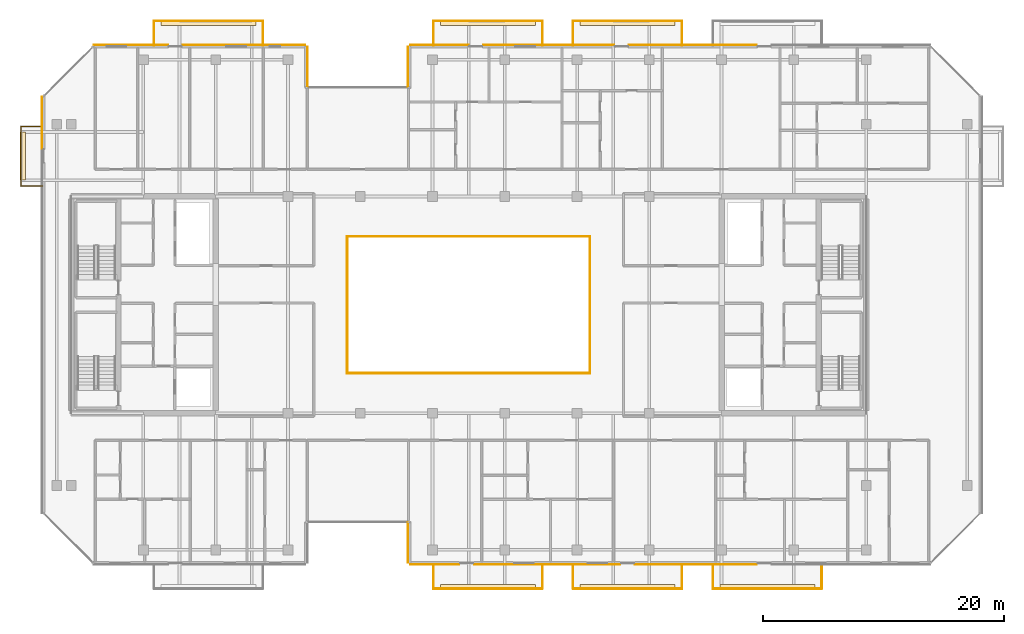
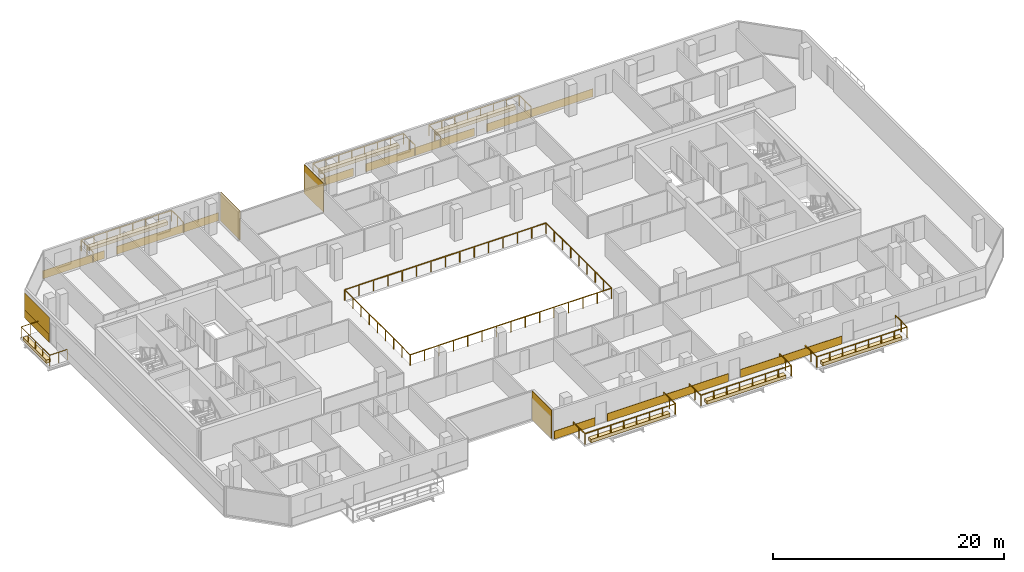
# One storey, part 27 of 29: 20 coverings, 9 railings.
"""IFC4 building model written with IfcOpenShell, lengths in metres."""

from ifc_helpers import new_model, si_unit, direction, frame, origin, origin_2d, place, context, subcontext, project, spatial, polyline, rectangle, outline, extrude, material, layer, layer_set, type_object, element, save


model = new_model("IFC4")

# Units and contexts
model_context = context("Model", 3, precision=1e-05, world=origin(), true_north=direction((0.0, 1.0)))
body_context = subcontext(model_context, "Body", "Model", "MODEL_VIEW")
ifc_project = project(units=[si_unit("LENGTHUNIT", "METRE"), si_unit("AREAUNIT", "SQUARE_METRE"), si_unit("VOLUMEUNIT", "CUBIC_METRE"), si_unit("PLANEANGLEUNIT", "RADIAN"), si_unit("MASSUNIT", "GRAM", prefix="KILO")], contexts=[model_context])

# Site, building, storey
site_placement = place(None, origin())
site = spatial("IfcSite", under=ifc_project, at=site_placement, CompositionType="ELEMENT")
building_placement = place(site_placement, origin())
building = spatial("IfcBuilding", under=site, at=building_placement, Name="Tanjung Sevakor Pilgrim Tower", CompositionType="ELEMENT")
storey_placement = place(building_placement, frame((0.0, 0.0, 181.830078125)))
storey = spatial("IfcBuildingStorey", under=building, at=storey_placement, Name="L50", CompositionType="ELEMENT", Elevation=181.830078125)

# Coverings
ifc_material_1 = material(Name="Reconstructed Limestone Cladding", Category="masonry")
ifc_layer_1 = layer(ifc_material_1, 0.044921875)
ifc_layer_set_1 = layer_set([ifc_layer_1], Name="COV-CLAD-LIMESTONE")
covering_type_1 = type_object("IfcCoveringType", Name="COV-CLAD-LIMESTONE", PredefinedType="CLADDING", material=ifc_layer_set_1)
covering_1_placement = place(storey_placement, frame((51.9775390625, 13.860107421875, 0.02001953125), z_axis=(0.0, 0.0, 1.0), x_axis=(0.0, -1.0, 0.0)))
element("IfcCovering", 1, at=covering_1_placement, inside=storey, type_object=covering_type_1, Name="L50 Warm Limestone Wall Cladding EW-L50-MAIN-4", PredefinedType="CLADDING", context=body_context, shape_type="SweptSolid", body=[
    extrude(rectangle(XDim=3.360107421875, YDim=0.044921875, at=origin_2d()), origin(), (0.0, 0.0, 1.0), 3.0400390625),
])
covering_2_placement = place(storey_placement, frame((54.195068359375, 12.027587890625, 0.009765625), z_axis=(0.0, 0.0, 1.0), x_axis=(1.0, 0.0, 0.0)))
element("IfcCovering", 2, at=covering_2_placement, inside=storey, type_object=covering_type_1, Name="L50 Warm Limestone Sill Spandrel EW-L50-MAIN-5-1", PredefinedType="CLADDING", context=body_context, shape_type="SweptSolid", body=[
    extrude(rectangle(XDim=4.090087890625, YDim=0.044921875, at=origin_2d()), origin(), (0.0, 0.0, 1.0), 0.840087890625),
])
covering_3_placement = place(storey_placement, frame((63.52490234375, 12.027587890625, 0.009765625), z_axis=(0.0, 0.0, 1.0), x_axis=(1.0, 0.0, 0.0)))
element("IfcCovering", 3, at=covering_3_placement, inside=storey, type_object=covering_type_1, Name="L50 Warm Limestone Sill Spandrel EW-L50-MAIN-5-2", PredefinedType="CLADDING", context=body_context, shape_type="SweptSolid", body=[
    extrude(rectangle(XDim=12.1298828125, YDim=0.044921875, at=origin_2d()), origin(), (0.0, 0.0, 1.0), 0.840087890625),
])
covering_4_placement = place(storey_placement, frame((75.875, 12.027587890625, 0.009765625), z_axis=(0.0, 0.0, 1.0), x_axis=(1.0, 0.0, 0.0)))
element("IfcCovering", 4, at=covering_4_placement, inside=storey, type_object=covering_type_1, Name="L50 Warm Limestone Sill Spandrel EW-L50-MAIN-5-3", PredefinedType="CLADDING", context=body_context, shape_type="SweptSolid", body=[
    extrude(rectangle(XDim=10.1298828125, YDim=0.044921875, at=origin_2d()), origin(), (0.0, 0.0, 1.0), 0.840087890625),
])
covering_5_placement = place(storey_placement, frame((75.625, 55.172607421875, 0.009765625), z_axis=(0.0, 0.0, 1.0), x_axis=(-1.0, 0.0, 0.0)))
element("IfcCovering", 5, at=covering_5_placement, inside=storey, type_object=covering_type_1, Name="L50 Warm Limestone Sill Spandrel EW-L50-MAIN-9-2", PredefinedType="CLADDING", context=body_context, shape_type="SweptSolid", body=[
    extrude(rectangle(XDim=10.6298828125, YDim=0.044921875, at=origin_2d()), origin(), (0.0, 0.0, 1.0), 0.840087890625),
])
covering_6_placement = place(storey_placement, frame((63.64990234375, 55.172607421875, 0.009765625), z_axis=(0.0, 0.0, 1.0), x_axis=(-1.0, 0.0, 0.0)))
element("IfcCovering", 6, at=covering_6_placement, inside=storey, type_object=covering_type_1, Name="L50 Warm Limestone Sill Spandrel EW-L50-MAIN-9-3", PredefinedType="CLADDING", context=body_context, shape_type="SweptSolid", body=[
    extrude(rectangle(XDim=10.8798828125, YDim=0.044921875, at=origin_2d()), origin(), (0.0, 0.0, 1.0), 0.840087890625),
])
covering_7_placement = place(storey_placement, frame((54.570068359375, 55.172607421875, 0.009765625), z_axis=(0.0, 0.0, 1.0), x_axis=(-1.0, 0.0, 0.0)))
element("IfcCovering", 7, at=covering_7_placement, inside=storey, type_object=covering_type_1, Name="L50 Warm Limestone Sill Spandrel EW-L50-MAIN-9-4", PredefinedType="CLADDING", context=body_context, shape_type="SweptSolid", body=[
    extrude(rectangle(XDim=4.840087890625, YDim=0.044921875, at=origin_2d()), origin(), (0.0, 0.0, 1.0), 0.840087890625),
])
for number, where, z_axis, x_axis, name in (
    (8, (51.9775390625, 53.340087890625, 0.02001953125), (0.0, 0.0, 1.0), (0.0, -1.0, 0.0), "L50 Warm Limestone Wall Cladding EW-L50-MAIN-10"),
    (9, (43.62255859375, 53.340087890625, 0.02001953125), (0.0, 0.0, 1.0), (0.0, 1.0, 0.0), "L50 Warm Limestone Wall Cladding EW-L50-MAIN-12"),
):
    element("IfcCovering", number, at=place(storey_placement, frame(where, z_axis=z_axis, x_axis=x_axis)), inside=storey, type_object=covering_type_1, Name=name, PredefinedType="CLADDING", context=body_context, shape_type="SweptSolid", body=[
        extrude(rectangle(XDim=3.360107421875, YDim=0.044921875, at=origin_2d()), origin(), (0.0, 0.0, 1.0), 3.0400390625),
    ])
covering_8_placement = place(storey_placement, frame((38.35498046875, 55.172607421875, 0.009765625), z_axis=(0.0, 0.0, 1.0), x_axis=(-1.0, 0.0, 0.0)))
element("IfcCovering", 10, at=covering_8_placement, inside=storey, type_object=covering_type_1, Name="L50 Warm Limestone Sill Spandrel EW-L50-MAIN-13-1", PredefinedType="CLADDING", context=body_context, shape_type="SweptSolid", body=[
    extrude(rectangle(XDim=10.18994140625, YDim=0.044921875, at=origin_2d()), origin(), (0.0, 0.0, 1.0), 0.840087890625),
])
covering_9_placement = place(storey_placement, frame((28.962890625, 55.172607421875, 0.009765625), z_axis=(0.0, 0.0, 1.0), x_axis=(-1.0, 0.0, 0.0)))
element("IfcCovering", 11, at=covering_9_placement, inside=storey, type_object=covering_type_1, Name="L50 Warm Limestone Sill Spandrel EW-L50-MAIN-13-2", PredefinedType="CLADDING", context=body_context, shape_type="SweptSolid", body=[
    extrude(rectangle(XDim=6.154296875, YDim=0.044921875, at=origin_2d()), origin(), (0.0, 0.0, 1.0), 0.840087890625),
])
covering_10_placement = place(storey_placement, frame((21.577392578125, 48.712158203125, 0.009765625), z_axis=(0.0, 0.0, 1.0), x_axis=(0.0, -1.0, 0.0)))
element("IfcCovering", 12, at=covering_10_placement, inside=storey, type_object=covering_type_1, Name="L50 Warm Limestone Sill Spandrel EW-L50-MAIN-15-1", PredefinedType="CLADDING", context=body_context, shape_type="SweptSolid", body=[
    extrude(rectangle(XDim=4.304443359375, YDim=0.044921875, at=origin_2d()), origin(), (0.0, 0.0, 1.0), 0.840087890625),
])
covering_11_placement = place(storey_placement, frame((21.577392578125, 48.707275390625, 0.849853515625), z_axis=(0.0, 0.0, 1.0), x_axis=(0.0, -1.0, 0.0)))
element("IfcCovering", 13, at=covering_11_placement, inside=storey, type_object=covering_type_1, Name="L50 Warm Limestone Pier Panel EW-L50-MAIN-15-1", PredefinedType="CLADDING", context=body_context, shape_type="SweptSolid", body=[
    extrude(rectangle(XDim=4.314453125, YDim=0.044921875, at=origin_2d()), origin(), (0.0, 0.0, 1.0), 1.81005859375),
])
ifc_material_2 = material(Name="Vegetated Modular Planter Assembly", Category="organic")
ifc_layer_2 = layer(ifc_material_2, 0.35009765625)
ifc_layer_set_2 = layer_set([ifc_layer_2], Name="COV-GRN-TROUGH")
covering_type_2 = type_object("IfcCoveringType", Name="COV-GRN-TROUGH", PredefinedType="CLADDING", material=ifc_layer_set_2)
covering_12_placement = place(storey_placement, origin())
element("IfcCovering", 14, at=covering_12_placement, inside=storey, type_object=covering_type_2, Name="L50 Planted Landscape Hedge Trough BGRN-L50-MAIN-N1", PredefinedType="CLADDING", context=body_context, shape_type="SweptSolid", body=[
    extrude(outline(polyline([(31.449951171875, 56.81005859375), (39.35009765625, 56.81005859375), (39.35009765625, 57.25), (31.449951171875, 57.25), (31.449951171875, 56.81005859375)])), origin(), (0.0, 0.0, 1.0), 0.349853515625),
])
covering_13_placement = place(storey_placement, origin())
element("IfcCovering", 15, at=covering_13_placement, inside=storey, type_object=covering_type_2, Name="L50 Planted Landscape Hedge Trough BGRN-L50-MAIN-S2", PredefinedType="CLADDING", context=body_context, shape_type="SweptSolid", body=[
    extrude(outline(polyline([(54.64990234375, 9.949951171875), (62.550048828125, 9.949951171875), (62.550048828125, 10.389892578125), (54.64990234375, 10.389892578125), (54.64990234375, 9.949951171875)])), origin(), (0.0, 0.0, 1.0), 0.349853515625),
])
covering_14_placement = place(storey_placement, origin())
element("IfcCovering", 16, at=covering_14_placement, inside=storey, type_object=covering_type_2, Name="L50 Planted Landscape Hedge Trough BGRN-L50-MAIN-N2", PredefinedType="CLADDING", context=body_context, shape_type="SweptSolid", body=[
    extrude(outline(polyline([(54.64990234375, 56.81005859375), (62.550048828125, 56.81005859375), (62.550048828125, 57.25), (54.64990234375, 57.25), (54.64990234375, 56.81005859375)])), origin(), (0.0, 0.0, 1.0), 0.349853515625),
])
covering_15_placement = place(storey_placement, origin())
element("IfcCovering", 17, at=covering_15_placement, inside=storey, type_object=covering_type_2, Name="L50 Planted Landscape Hedge Trough BGRN-L50-MAIN-S3", PredefinedType="CLADDING", context=body_context, shape_type="SweptSolid", body=[
    extrude(outline(polyline([(66.25, 9.949951171875), (74.14990234375, 9.949951171875), (74.14990234375, 10.389892578125), (66.25, 10.389892578125), (66.25, 9.949951171875)])), origin(), (0.0, 0.0, 1.0), 0.349853515625),
])
covering_16_placement = place(storey_placement, origin())
element("IfcCovering", 18, at=covering_16_placement, inside=storey, type_object=covering_type_2, Name="L50 Planted Landscape Hedge Trough BGRN-L50-MAIN-N3", PredefinedType="CLADDING", context=body_context, shape_type="SweptSolid", body=[
    extrude(outline(polyline([(66.25, 56.81005859375), (74.14990234375, 56.81005859375), (74.14990234375, 57.25), (66.25, 57.25), (66.25, 56.81005859375)])), origin(), (0.0, 0.0, 1.0), 0.349853515625),
])
covering_17_placement = place(storey_placement, origin())
element("IfcCovering", 19, at=covering_17_placement, inside=storey, type_object=covering_type_2, Name="L50 Planted Landscape Hedge Trough BGRN-L50-MAIN-S4", PredefinedType="CLADDING", context=body_context, shape_type="SweptSolid", body=[
    extrude(outline(polyline([(77.85009765625, 9.949951171875), (85.75, 9.949951171875), (85.75, 10.389892578125), (77.85009765625, 10.389892578125), (77.85009765625, 9.949951171875)])), origin(), (0.0, 0.0, 1.0), 0.349853515625),
])
covering_18_placement = place(storey_placement, origin())
element("IfcCovering", 20, at=covering_18_placement, inside=storey, type_object=covering_type_2, Name="L50 Planted Landscape Hedge Trough BGRN-L50-MAIN-W1", PredefinedType="CLADDING", context=body_context, shape_type="SweptSolid", body=[
    extrude(outline(polyline([(20.18994140625, 43.949951171875), (20.18994140625, 47.949951171875), (19.75, 47.949951171875), (19.75, 43.949951171875), (20.18994140625, 43.949951171875)])), origin(), (0.0, 0.0, 1.0), 0.349853515625),
])

# Railings
ifc_material_3 = material(Name="Laminated Glass and Aluminium", Category="aluminium")
railing_type = type_object("IfcRailingType", Name="RL-BAL-BALUST", PredefinedType="BALUSTRADE", material=ifc_material_3)
railing_1_placement = place(storey_placement, frame((46.919921875, 27.919921875, 0.0)))
element("IfcRailing", 21, at=railing_1_placement, inside=storey, type_object=railing_type, Name="L50 Void Opening Balustrade 1A", PredefinedType="BALUSTRADE", context=body_context, shape_type="SweptSolid", body=[
    extrude(rectangle(XDim=0.0479, YDim=0.0479), frame((0.0, 0.0, 1.1259765625), z_axis=(1.0, 0.0, 0.0), x_axis=(0.0, 1.0, 0.0)), (0.0, 0.0, 1.0), 20.16015625),
    extrude(rectangle(XDim=0.0479, YDim=0.0479), frame((20.16015625, 0.0, 1.1259765625), z_axis=(0.0, 1.0, 0.0), x_axis=(-1.0, 0.0, 0.0)), (0.0, 0.0, 1.0), 11.360107421875),
    extrude(rectangle(XDim=0.042, YDim=0.042), origin(), (0.0, 0.0, 1.0), 1.101806640625),
    extrude(rectangle(XDim=0.042, YDim=0.042), frame((1.43994140625, 0.0, 0.0)), (0.0, 0.0, 1.0), 1.101806640625),
    extrude(rectangle(XDim=0.042, YDim=0.042), frame((2.880126953125, 0.0, 0.0)), (0.0, 0.0, 1.0), 1.101806640625),
    extrude(rectangle(XDim=0.042, YDim=0.042), frame((4.320068359375, 0.0, 0.0)), (0.0, 0.0, 1.0), 1.101806640625),
    extrude(rectangle(XDim=0.042, YDim=0.042), frame((5.760009765625, 0.0, 0.0)), (0.0, 0.0, 1.0), 1.101806640625),
    extrude(rectangle(XDim=0.042, YDim=0.042), frame((7.199951171875, 0.0, 0.0)), (0.0, 0.0, 1.0), 1.101806640625),
    extrude(rectangle(XDim=0.042, YDim=0.042), frame((8.64013671875, 0.0, 0.0)), (0.0, 0.0, 1.0), 1.101806640625),
    extrude(rectangle(XDim=0.042, YDim=0.042), frame((10.080078125, 0.0, 0.0)), (0.0, 0.0, 1.0), 1.101806640625),
    extrude(rectangle(XDim=0.042, YDim=0.042), frame((11.52001953125, 0.0, 0.0)), (0.0, 0.0, 1.0), 1.101806640625),
    extrude(rectangle(XDim=0.042, YDim=0.042), frame((12.960205078125, 0.0, 0.0)), (0.0, 0.0, 1.0), 1.101806640625),
    extrude(rectangle(XDim=0.042, YDim=0.042), frame((14.400146484375, 0.0, 0.0)), (0.0, 0.0, 1.0), 1.101806640625),
    extrude(rectangle(XDim=0.042, YDim=0.042), frame((15.840087890625, 0.0, 0.0)), (0.0, 0.0, 1.0), 1.101806640625),
    extrude(rectangle(XDim=0.042, YDim=0.042), frame((17.280029296875, 0.0, 0.0)), (0.0, 0.0, 1.0), 1.101806640625),
    extrude(rectangle(XDim=0.042, YDim=0.042), frame((18.72021484375, 0.0, 0.0)), (0.0, 0.0, 1.0), 1.101806640625),
    extrude(rectangle(XDim=0.042, YDim=0.042), frame((20.16015625, 0.0, 0.0)), (0.0, 0.0, 1.0), 1.101806640625),
    extrude(rectangle(XDim=0.042, YDim=0.042), frame((20.16015625, 1.419921875, 0.0)), (0.0, 0.0, 1.0), 1.101806640625),
    extrude(rectangle(XDim=0.042, YDim=0.042), frame((20.16015625, 2.840087890625, 0.0)), (0.0, 0.0, 1.0), 1.101806640625),
    extrude(rectangle(XDim=0.042, YDim=0.042), frame((20.16015625, 4.260009765625, 0.0)), (0.0, 0.0, 1.0), 1.101806640625),
    extrude(rectangle(XDim=0.042, YDim=0.042), frame((20.16015625, 5.68017578125, 0.0)), (0.0, 0.0, 1.0), 1.101806640625),
    extrude(rectangle(XDim=0.042, YDim=0.042), frame((20.16015625, 7.10009765625, 0.0)), (0.0, 0.0, 1.0), 1.101806640625),
    extrude(rectangle(XDim=0.042, YDim=0.042), frame((20.16015625, 8.52001953125, 0.0)), (0.0, 0.0, 1.0), 1.101806640625),
    extrude(rectangle(XDim=0.042, YDim=0.042), frame((20.16015625, 9.940185546875, 0.0)), (0.0, 0.0, 1.0), 1.101806640625),
    extrude(rectangle(XDim=0.042, YDim=0.042), frame((20.16015625, 11.360107421875, 0.0)), (0.0, 0.0, 1.0), 1.101806640625),
])
railing_2_placement = place(storey_placement, frame((67.080078125, 39.280029296875, 0.0)))
element("IfcRailing", 22, at=railing_2_placement, inside=storey, type_object=railing_type, Name="L50 Void Opening Balustrade 1B", PredefinedType="BALUSTRADE", context=body_context, shape_type="SweptSolid", body=[
    extrude(rectangle(XDim=0.0479, YDim=0.0479), frame((0.0, 0.0, 1.1259765625), z_axis=(-1.0, 0.0, 0.0), x_axis=(0.0, -1.0, 0.0)), (0.0, 0.0, 1.0), 20.16015625),
    extrude(rectangle(XDim=0.0479, YDim=0.0479), frame((-20.16015625, 0.0, 1.1259765625), z_axis=(0.0, -1.0, 0.0), x_axis=(1.0, 0.0, 0.0)), (0.0, 0.0, 1.0), 11.360107421875),
    extrude(rectangle(XDim=0.042, YDim=0.042), origin(), (0.0, 0.0, 1.0), 1.101806640625),
    extrude(rectangle(XDim=0.042, YDim=0.042), frame((-1.43994140625, 0.0, 0.0)), (0.0, 0.0, 1.0), 1.101806640625),
    extrude(rectangle(XDim=0.042, YDim=0.042), frame((-2.880126953125, 0.0, 0.0)), (0.0, 0.0, 1.0), 1.101806640625),
    extrude(rectangle(XDim=0.042, YDim=0.042), frame((-4.320068359375, 0.0, 0.0)), (0.0, 0.0, 1.0), 1.101806640625),
    extrude(rectangle(XDim=0.042, YDim=0.042), frame((-5.760009765625, 0.0, 0.0)), (0.0, 0.0, 1.0), 1.101806640625),
    extrude(rectangle(XDim=0.042, YDim=0.042), frame((-7.199951171875, 0.0, 0.0)), (0.0, 0.0, 1.0), 1.101806640625),
    extrude(rectangle(XDim=0.042, YDim=0.042), frame((-8.64013671875, 0.0, 0.0)), (0.0, 0.0, 1.0), 1.101806640625),
    extrude(rectangle(XDim=0.042, YDim=0.042), frame((-10.080078125, 0.0, 0.0)), (0.0, 0.0, 1.0), 1.101806640625),
    extrude(rectangle(XDim=0.042, YDim=0.042), frame((-11.52001953125, 0.0, 0.0)), (0.0, 0.0, 1.0), 1.101806640625),
    extrude(rectangle(XDim=0.042, YDim=0.042), frame((-12.960205078125, 0.0, 0.0)), (0.0, 0.0, 1.0), 1.101806640625),
    extrude(rectangle(XDim=0.042, YDim=0.042), frame((-14.400146484375, 0.0, 0.0)), (0.0, 0.0, 1.0), 1.101806640625),
    extrude(rectangle(XDim=0.042, YDim=0.042), frame((-15.840087890625, 0.0, 0.0)), (0.0, 0.0, 1.0), 1.101806640625),
    extrude(rectangle(XDim=0.042, YDim=0.042), frame((-17.280029296875, 0.0, 0.0)), (0.0, 0.0, 1.0), 1.101806640625),
    extrude(rectangle(XDim=0.042, YDim=0.042), frame((-18.72021484375, 0.0, 0.0)), (0.0, 0.0, 1.0), 1.101806640625),
    extrude(rectangle(XDim=0.042, YDim=0.042), frame((-20.16015625, 0.0, 0.0)), (0.0, 0.0, 1.0), 1.101806640625),
    extrude(rectangle(XDim=0.042, YDim=0.042), frame((-20.16015625, -1.419921875, 0.0)), (0.0, 0.0, 1.0), 1.101806640625),
    extrude(rectangle(XDim=0.042, YDim=0.042), frame((-20.16015625, -2.840087890625, 0.0)), (0.0, 0.0, 1.0), 1.101806640625),
    extrude(rectangle(XDim=0.042, YDim=0.042), frame((-20.16015625, -4.260009765625, 0.0)), (0.0, 0.0, 1.0), 1.101806640625),
    extrude(rectangle(XDim=0.042, YDim=0.042), frame((-20.16015625, -5.68017578125, 0.0)), (0.0, 0.0, 1.0), 1.101806640625),
    extrude(rectangle(XDim=0.042, YDim=0.042), frame((-20.16015625, -7.10009765625, 0.0)), (0.0, 0.0, 1.0), 1.101806640625),
    extrude(rectangle(XDim=0.042, YDim=0.042), frame((-20.16015625, -8.52001953125, 0.0)), (0.0, 0.0, 1.0), 1.101806640625),
    extrude(rectangle(XDim=0.042, YDim=0.042), frame((-20.16015625, -9.940185546875, 0.0)), (0.0, 0.0, 1.0), 1.101806640625),
    extrude(rectangle(XDim=0.042, YDim=0.042), frame((-20.16015625, -11.360107421875, 0.0)), (0.0, 0.0, 1.0), 1.101806640625),
])
railing_3_placement = place(storey_placement, frame((30.8798828125, 55.14990234375, 0.0)))
element("IfcRailing", 23, at=railing_3_placement, inside=storey, type_object=railing_type, Name="L50 Loggia Balustrade MAIN-N1", PredefinedType="BALUSTRADE", context=body_context, shape_type="SweptSolid", body=[
    extrude(rectangle(XDim=0.0479, YDim=0.0479), frame((0.0, 0.0, 1.1259765625), z_axis=(0.0, 1.0, 0.0), x_axis=(-1.0, 0.0, 0.0)), (0.0, 0.0, 1.0), 2.02001953125),
    extrude(rectangle(XDim=0.0479, YDim=0.0479), frame((0.0, 2.02001953125, 1.1259765625), z_axis=(1.0, 0.0, 0.0), x_axis=(0.0, 1.0, 0.0)), (0.0, 0.0, 1.0), 9.0400390625),
    extrude(rectangle(XDim=0.0479, YDim=0.0479), frame((9.0400390625, 2.02001953125, 1.1259765625), z_axis=(0.0, -1.0, 0.0), x_axis=(1.0, 0.0, 0.0)), (0.0, 0.0, 1.0), 2.02001953125),
    extrude(rectangle(XDim=0.042, YDim=0.042), origin(), (0.0, 0.0, 1.0), 1.101806640625),
    extrude(rectangle(XDim=0.042, YDim=0.042), frame((0.0, 1.010009765625, 0.0)), (0.0, 0.0, 1.0), 1.101806640625),
    extrude(rectangle(XDim=0.042, YDim=0.042), frame((0.0, 2.02001953125, 0.0)), (0.0, 0.0, 1.0), 1.101806640625),
    extrude(rectangle(XDim=0.042, YDim=0.042), frame((1.29150390625, 2.02001953125, 0.0)), (0.0, 0.0, 1.0), 1.101806640625),
    extrude(rectangle(XDim=0.042, YDim=0.042), frame((2.582763671875, 2.02001953125, 0.0)), (0.0, 0.0, 1.0), 1.101806640625),
    extrude(rectangle(XDim=0.042, YDim=0.042), frame((3.874267578125, 2.02001953125, 0.0)), (0.0, 0.0, 1.0), 1.101806640625),
    extrude(rectangle(XDim=0.042, YDim=0.042), frame((5.165771484375, 2.02001953125, 0.0)), (0.0, 0.0, 1.0), 1.101806640625),
    extrude(rectangle(XDim=0.042, YDim=0.042), frame((6.457275390625, 2.02001953125, 0.0)), (0.0, 0.0, 1.0), 1.101806640625),
    extrude(rectangle(XDim=0.042, YDim=0.042), frame((7.74853515625, 2.02001953125, 0.0)), (0.0, 0.0, 1.0), 1.101806640625),
    extrude(rectangle(XDim=0.042, YDim=0.042), frame((9.0400390625, 2.02001953125, 0.0)), (0.0, 0.0, 1.0), 1.101806640625),
    extrude(rectangle(XDim=0.042, YDim=0.042), frame((9.0400390625, 1.010009765625, 0.0)), (0.0, 0.0, 1.0), 1.101806640625),
    extrude(rectangle(XDim=0.042, YDim=0.042), frame((9.0400390625, 0.0, 0.0)), (0.0, 0.0, 1.0), 1.101806640625),
])
railing_4_placement = place(storey_placement, frame((54.080078125, 12.050048828125, 0.0)))
element("IfcRailing", 24, at=railing_4_placement, inside=storey, type_object=railing_type, Name="L50 Loggia Balustrade MAIN-S2", PredefinedType="BALUSTRADE", context=body_context, shape_type="SweptSolid", body=[
    extrude(rectangle(XDim=0.0479, YDim=0.0479), frame((0.0, 0.0, 1.1259765625), z_axis=(0.0, -1.0, 0.0), x_axis=(1.0, 0.0, 0.0)), (0.0, 0.0, 1.0), 2.02001953125),
    extrude(rectangle(XDim=0.0479, YDim=0.0479), frame((0.0, -2.02001953125, 1.1259765625), z_axis=(1.0, 0.0, 0.0), x_axis=(0.0, 1.0, 0.0)), (0.0, 0.0, 1.0), 9.0400390625),
    extrude(rectangle(XDim=0.0479, YDim=0.0479), frame((9.0400390625, -2.02001953125, 1.1259765625), z_axis=(0.0, 1.0, 0.0), x_axis=(-1.0, 0.0, 0.0)), (0.0, 0.0, 1.0), 2.02001953125),
    extrude(rectangle(XDim=0.042, YDim=0.042), origin(), (0.0, 0.0, 1.0), 1.101806640625),
    extrude(rectangle(XDim=0.042, YDim=0.042), frame((0.0, -1.010009765625, 0.0)), (0.0, 0.0, 1.0), 1.101806640625),
    extrude(rectangle(XDim=0.042, YDim=0.042), frame((0.0, -2.02001953125, 0.0)), (0.0, 0.0, 1.0), 1.101806640625),
    extrude(rectangle(XDim=0.042, YDim=0.042), frame((1.29150390625, -2.02001953125, 0.0)), (0.0, 0.0, 1.0), 1.101806640625),
    extrude(rectangle(XDim=0.042, YDim=0.042), frame((2.582763671875, -2.02001953125, 0.0)), (0.0, 0.0, 1.0), 1.101806640625),
    extrude(rectangle(XDim=0.042, YDim=0.042), frame((3.874267578125, -2.02001953125, 0.0)), (0.0, 0.0, 1.0), 1.101806640625),
    extrude(rectangle(XDim=0.042, YDim=0.042), frame((5.165771484375, -2.02001953125, 0.0)), (0.0, 0.0, 1.0), 1.101806640625),
    extrude(rectangle(XDim=0.042, YDim=0.042), frame((6.457275390625, -2.02001953125, 0.0)), (0.0, 0.0, 1.0), 1.101806640625),
    extrude(rectangle(XDim=0.042, YDim=0.042), frame((7.74853515625, -2.02001953125, 0.0)), (0.0, 0.0, 1.0), 1.101806640625),
    extrude(rectangle(XDim=0.042, YDim=0.042), frame((9.0400390625, -2.02001953125, 0.0)), (0.0, 0.0, 1.0), 1.101806640625),
    extrude(rectangle(XDim=0.042, YDim=0.042), frame((9.0400390625, -1.010009765625, 0.0)), (0.0, 0.0, 1.0), 1.101806640625),
    extrude(rectangle(XDim=0.042, YDim=0.042), frame((9.0400390625, 0.0, 0.0)), (0.0, 0.0, 1.0), 1.101806640625),
])
railing_5_placement = place(storey_placement, frame((54.080078125, 55.14990234375, 0.0)))
element("IfcRailing", 25, at=railing_5_placement, inside=storey, type_object=railing_type, Name="L50 Loggia Balustrade MAIN-N2", PredefinedType="BALUSTRADE", context=body_context, shape_type="SweptSolid", body=[
    extrude(rectangle(XDim=0.0479, YDim=0.0479), frame((0.0, 0.0, 1.1259765625), z_axis=(0.0, 1.0, 0.0), x_axis=(-1.0, 0.0, 0.0)), (0.0, 0.0, 1.0), 2.02001953125),
    extrude(rectangle(XDim=0.0479, YDim=0.0479), frame((0.0, 2.02001953125, 1.1259765625), z_axis=(1.0, 0.0, 0.0), x_axis=(0.0, 1.0, 0.0)), (0.0, 0.0, 1.0), 9.0400390625),
    extrude(rectangle(XDim=0.0479, YDim=0.0479), frame((9.0400390625, 2.02001953125, 1.1259765625), z_axis=(0.0, -1.0, 0.0), x_axis=(1.0, 0.0, 0.0)), (0.0, 0.0, 1.0), 2.02001953125),
    extrude(rectangle(XDim=0.042, YDim=0.042), origin(), (0.0, 0.0, 1.0), 1.101806640625),
    extrude(rectangle(XDim=0.042, YDim=0.042), frame((0.0, 1.010009765625, 0.0)), (0.0, 0.0, 1.0), 1.101806640625),
    extrude(rectangle(XDim=0.042, YDim=0.042), frame((0.0, 2.02001953125, 0.0)), (0.0, 0.0, 1.0), 1.101806640625),
    extrude(rectangle(XDim=0.042, YDim=0.042), frame((1.29150390625, 2.02001953125, 0.0)), (0.0, 0.0, 1.0), 1.101806640625),
    extrude(rectangle(XDim=0.042, YDim=0.042), frame((2.582763671875, 2.02001953125, 0.0)), (0.0, 0.0, 1.0), 1.101806640625),
    extrude(rectangle(XDim=0.042, YDim=0.042), frame((3.874267578125, 2.02001953125, 0.0)), (0.0, 0.0, 1.0), 1.101806640625),
    extrude(rectangle(XDim=0.042, YDim=0.042), frame((5.165771484375, 2.02001953125, 0.0)), (0.0, 0.0, 1.0), 1.101806640625),
    extrude(rectangle(XDim=0.042, YDim=0.042), frame((6.457275390625, 2.02001953125, 0.0)), (0.0, 0.0, 1.0), 1.101806640625),
    extrude(rectangle(XDim=0.042, YDim=0.042), frame((7.74853515625, 2.02001953125, 0.0)), (0.0, 0.0, 1.0), 1.101806640625),
    extrude(rectangle(XDim=0.042, YDim=0.042), frame((9.0400390625, 2.02001953125, 0.0)), (0.0, 0.0, 1.0), 1.101806640625),
    extrude(rectangle(XDim=0.042, YDim=0.042), frame((9.0400390625, 1.010009765625, 0.0)), (0.0, 0.0, 1.0), 1.101806640625),
    extrude(rectangle(XDim=0.042, YDim=0.042), frame((9.0400390625, 0.0, 0.0)), (0.0, 0.0, 1.0), 1.101806640625),
])
railing_6_placement = place(storey_placement, frame((65.679931640625, 12.050048828125, 0.0)))
element("IfcRailing", 26, at=railing_6_placement, inside=storey, type_object=railing_type, Name="L50 Loggia Balustrade MAIN-S3", PredefinedType="BALUSTRADE", context=body_context, shape_type="SweptSolid", body=[
    extrude(rectangle(XDim=0.0479, YDim=0.0479), frame((0.0, 0.0, 1.1259765625), z_axis=(0.0, -1.0, 0.0), x_axis=(1.0, 0.0, 0.0)), (0.0, 0.0, 1.0), 2.02001953125),
    extrude(rectangle(XDim=0.0479, YDim=0.0479), frame((0.0, -2.02001953125, 1.1259765625), z_axis=(1.0, 0.0, 0.0), x_axis=(0.0, 1.0, 0.0)), (0.0, 0.0, 1.0), 9.0400390625),
    extrude(rectangle(XDim=0.0479, YDim=0.0479), frame((9.0400390625, -2.02001953125, 1.1259765625), z_axis=(0.0, 1.0, 0.0), x_axis=(-1.0, 0.0, 0.0)), (0.0, 0.0, 1.0), 2.02001953125),
    extrude(rectangle(XDim=0.042, YDim=0.042), origin(), (0.0, 0.0, 1.0), 1.101806640625),
    extrude(rectangle(XDim=0.042, YDim=0.042), frame((0.0, -1.010009765625, 0.0)), (0.0, 0.0, 1.0), 1.101806640625),
    extrude(rectangle(XDim=0.042, YDim=0.042), frame((0.0, -2.02001953125, 0.0)), (0.0, 0.0, 1.0), 1.101806640625),
    extrude(rectangle(XDim=0.042, YDim=0.042), frame((1.29150390625, -2.02001953125, 0.0)), (0.0, 0.0, 1.0), 1.101806640625),
    extrude(rectangle(XDim=0.042, YDim=0.042), frame((2.582763671875, -2.02001953125, 0.0)), (0.0, 0.0, 1.0), 1.101806640625),
    extrude(rectangle(XDim=0.042, YDim=0.042), frame((3.874267578125, -2.02001953125, 0.0)), (0.0, 0.0, 1.0), 1.101806640625),
    extrude(rectangle(XDim=0.042, YDim=0.042), frame((5.165771484375, -2.02001953125, 0.0)), (0.0, 0.0, 1.0), 1.101806640625),
    extrude(rectangle(XDim=0.042, YDim=0.042), frame((6.457275390625, -2.02001953125, 0.0)), (0.0, 0.0, 1.0), 1.101806640625),
    extrude(rectangle(XDim=0.042, YDim=0.042), frame((7.74853515625, -2.02001953125, 0.0)), (0.0, 0.0, 1.0), 1.101806640625),
    extrude(rectangle(XDim=0.042, YDim=0.042), frame((9.0400390625, -2.02001953125, 0.0)), (0.0, 0.0, 1.0), 1.101806640625),
    extrude(rectangle(XDim=0.042, YDim=0.042), frame((9.0400390625, -1.010009765625, 0.0)), (0.0, 0.0, 1.0), 1.101806640625),
    extrude(rectangle(XDim=0.042, YDim=0.042), frame((9.0400390625, 0.0, 0.0)), (0.0, 0.0, 1.0), 1.101806640625),
])
railing_7_placement = place(storey_placement, frame((65.679931640625, 55.14990234375, 0.0)))
element("IfcRailing", 27, at=railing_7_placement, inside=storey, type_object=railing_type, Name="L50 Loggia Balustrade MAIN-N3", PredefinedType="BALUSTRADE", context=body_context, shape_type="SweptSolid", body=[
    extrude(rectangle(XDim=0.0479, YDim=0.0479), frame((0.0, 0.0, 1.1259765625), z_axis=(0.0, 1.0, 0.0), x_axis=(-1.0, 0.0, 0.0)), (0.0, 0.0, 1.0), 2.02001953125),
    extrude(rectangle(XDim=0.0479, YDim=0.0479), frame((0.0, 2.02001953125, 1.1259765625), z_axis=(1.0, 0.0, 0.0), x_axis=(0.0, 1.0, 0.0)), (0.0, 0.0, 1.0), 9.0400390625),
    extrude(rectangle(XDim=0.0479, YDim=0.0479), frame((9.0400390625, 2.02001953125, 1.1259765625), z_axis=(0.0, -1.0, 0.0), x_axis=(1.0, 0.0, 0.0)), (0.0, 0.0, 1.0), 2.02001953125),
    extrude(rectangle(XDim=0.042, YDim=0.042), origin(), (0.0, 0.0, 1.0), 1.101806640625),
    extrude(rectangle(XDim=0.042, YDim=0.042), frame((0.0, 1.010009765625, 0.0)), (0.0, 0.0, 1.0), 1.101806640625),
    extrude(rectangle(XDim=0.042, YDim=0.042), frame((0.0, 2.02001953125, 0.0)), (0.0, 0.0, 1.0), 1.101806640625),
    extrude(rectangle(XDim=0.042, YDim=0.042), frame((1.29150390625, 2.02001953125, 0.0)), (0.0, 0.0, 1.0), 1.101806640625),
    extrude(rectangle(XDim=0.042, YDim=0.042), frame((2.582763671875, 2.02001953125, 0.0)), (0.0, 0.0, 1.0), 1.101806640625),
    extrude(rectangle(XDim=0.042, YDim=0.042), frame((3.874267578125, 2.02001953125, 0.0)), (0.0, 0.0, 1.0), 1.101806640625),
    extrude(rectangle(XDim=0.042, YDim=0.042), frame((5.165771484375, 2.02001953125, 0.0)), (0.0, 0.0, 1.0), 1.101806640625),
    extrude(rectangle(XDim=0.042, YDim=0.042), frame((6.457275390625, 2.02001953125, 0.0)), (0.0, 0.0, 1.0), 1.101806640625),
    extrude(rectangle(XDim=0.042, YDim=0.042), frame((7.74853515625, 2.02001953125, 0.0)), (0.0, 0.0, 1.0), 1.101806640625),
    extrude(rectangle(XDim=0.042, YDim=0.042), frame((9.0400390625, 2.02001953125, 0.0)), (0.0, 0.0, 1.0), 1.101806640625),
    extrude(rectangle(XDim=0.042, YDim=0.042), frame((9.0400390625, 1.010009765625, 0.0)), (0.0, 0.0, 1.0), 1.101806640625),
    extrude(rectangle(XDim=0.042, YDim=0.042), frame((9.0400390625, 0.0, 0.0)), (0.0, 0.0, 1.0), 1.101806640625),
])
railing_8_placement = place(storey_placement, frame((77.280029296875, 12.050048828125, 0.0)))
element("IfcRailing", 28, at=railing_8_placement, inside=storey, type_object=railing_type, Name="L50 Loggia Balustrade MAIN-S4", PredefinedType="BALUSTRADE", context=body_context, shape_type="SweptSolid", body=[
    extrude(rectangle(XDim=0.0479, YDim=0.0479), frame((0.0, 0.0, 1.1259765625), z_axis=(0.0, -1.0, 0.0), x_axis=(1.0, 0.0, 0.0)), (0.0, 0.0, 1.0), 2.02001953125),
    extrude(rectangle(XDim=0.0479, YDim=0.0479), frame((0.0, -2.02001953125, 1.1259765625), z_axis=(1.0, 0.0, 0.0), x_axis=(0.0, 1.0, 0.0)), (0.0, 0.0, 1.0), 9.0400390625),
    extrude(rectangle(XDim=0.0479, YDim=0.0479), frame((9.0400390625, -2.02001953125, 1.1259765625), z_axis=(0.0, 1.0, 0.0), x_axis=(-1.0, 0.0, 0.0)), (0.0, 0.0, 1.0), 2.02001953125),
    extrude(rectangle(XDim=0.042, YDim=0.042), origin(), (0.0, 0.0, 1.0), 1.101806640625),
    extrude(rectangle(XDim=0.042, YDim=0.042), frame((0.0, -1.010009765625, 0.0)), (0.0, 0.0, 1.0), 1.101806640625),
    extrude(rectangle(XDim=0.042, YDim=0.042), frame((0.0, -2.02001953125, 0.0)), (0.0, 0.0, 1.0), 1.101806640625),
    extrude(rectangle(XDim=0.042, YDim=0.042), frame((1.29150390625, -2.02001953125, 0.0)), (0.0, 0.0, 1.0), 1.101806640625),
    extrude(rectangle(XDim=0.042, YDim=0.042), frame((2.582763671875, -2.02001953125, 0.0)), (0.0, 0.0, 1.0), 1.101806640625),
    extrude(rectangle(XDim=0.042, YDim=0.042), frame((3.874267578125, -2.02001953125, 0.0)), (0.0, 0.0, 1.0), 1.101806640625),
    extrude(rectangle(XDim=0.042, YDim=0.042), frame((5.165771484375, -2.02001953125, 0.0)), (0.0, 0.0, 1.0), 1.101806640625),
    extrude(rectangle(XDim=0.042, YDim=0.042), frame((6.457275390625, -2.02001953125, 0.0)), (0.0, 0.0, 1.0), 1.101806640625),
    extrude(rectangle(XDim=0.042, YDim=0.042), frame((7.74853515625, -2.02001953125, 0.0)), (0.0, 0.0, 1.0), 1.101806640625),
    extrude(rectangle(XDim=0.042, YDim=0.042), frame((9.0400390625, -2.02001953125, 0.0)), (0.0, 0.0, 1.0), 1.101806640625),
    extrude(rectangle(XDim=0.042, YDim=0.042), frame((9.0400390625, -1.010009765625, 0.0)), (0.0, 0.0, 1.0), 1.101806640625),
    extrude(rectangle(XDim=0.042, YDim=0.042), frame((9.0400390625, 0.0, 0.0)), (0.0, 0.0, 1.0), 1.101806640625),
])
railing_9_placement = place(storey_placement, frame((21.60009765625, 43.47998046875, 0.0)))
element("IfcRailing", 29, at=railing_9_placement, inside=storey, type_object=railing_type, Name="L50 Loggia Balustrade MAIN-W1", PredefinedType="BALUSTRADE", context=body_context, shape_type="SweptSolid", body=[
    extrude(rectangle(XDim=0.0479, YDim=0.0479), frame((0.0, 0.0, 1.1259765625), z_axis=(-1.0, 0.0, 0.0), x_axis=(0.0, -1.0, 0.0)), (0.0, 0.0, 1.0), 1.77001953125),
    extrude(rectangle(XDim=0.0479, YDim=0.0479), frame((-1.77001953125, 0.0, 1.1259765625), z_axis=(0.0, 1.0, 0.0), x_axis=(-1.0, 0.0, 0.0)), (0.0, 0.0, 1.0), 4.93994140625),
    extrude(rectangle(XDim=0.0479, YDim=0.0479), frame((-1.77001953125, 4.93994140625, 1.1259765625), z_axis=(1.0, 0.0, 0.0), x_axis=(0.0, 1.0, 0.0)), (0.0, 0.0, 1.0), 1.77001953125),
    extrude(rectangle(XDim=0.042, YDim=0.042), origin(), (0.0, 0.0, 1.0), 1.101806640625),
    extrude(rectangle(XDim=0.042, YDim=0.042), frame((-0.885009765625, 0.0, 0.0)), (0.0, 0.0, 1.0), 1.101806640625),
    extrude(rectangle(XDim=0.042, YDim=0.042), frame((-1.77001953125, 0.0, 0.0)), (0.0, 0.0, 1.0), 1.101806640625),
    extrude(rectangle(XDim=0.042, YDim=0.042), frame((-1.77001953125, 1.23486328125, 0.0)), (0.0, 0.0, 1.0), 1.101806640625),
    extrude(rectangle(XDim=0.042, YDim=0.042), frame((-1.77001953125, 2.469970703125, 0.0)), (0.0, 0.0, 1.0), 1.101806640625),
    extrude(rectangle(XDim=0.042, YDim=0.042), frame((-1.77001953125, 3.705078125, 0.0)), (0.0, 0.0, 1.0), 1.101806640625),
    extrude(rectangle(XDim=0.042, YDim=0.042), frame((-1.77001953125, 4.93994140625, 0.0)), (0.0, 0.0, 1.0), 1.101806640625),
    extrude(rectangle(XDim=0.042, YDim=0.042), frame((-0.885009765625, 4.93994140625, 0.0)), (0.0, 0.0, 1.0), 1.101806640625),
    extrude(rectangle(XDim=0.042, YDim=0.042), frame((0.0, 4.93994140625, 0.0)), (0.0, 0.0, 1.0), 1.101806640625),
])

save(model, "model.ifc")
